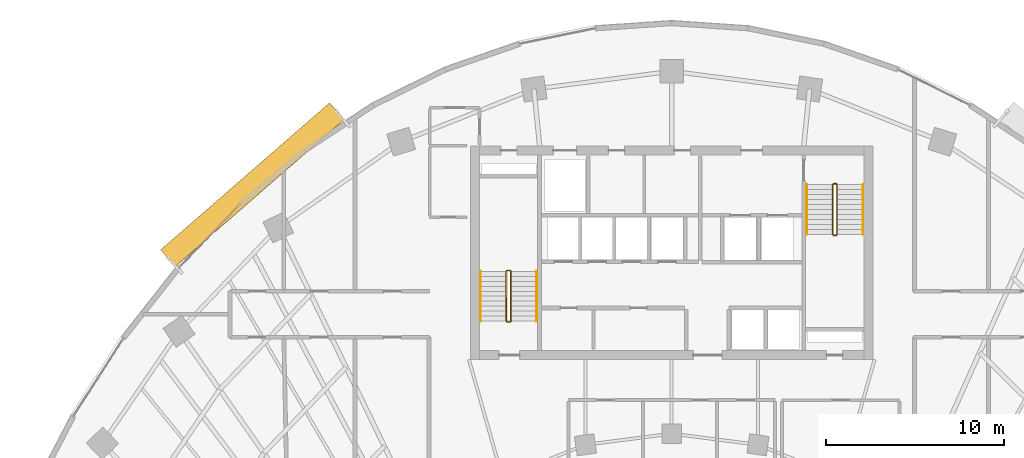
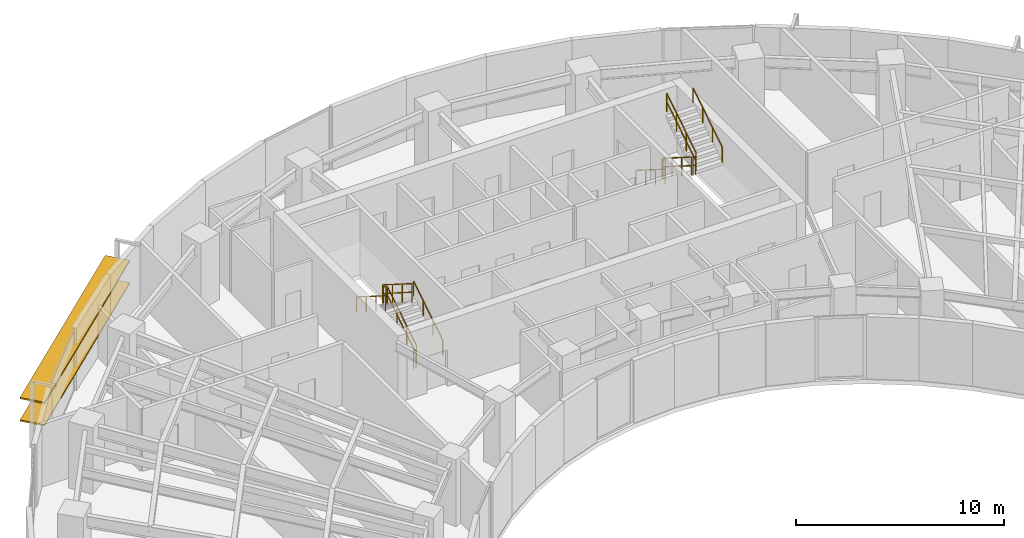
# One storey, part 13 of 14: 12 railings, 2 shading devices.
"""IFC4 building model written with IfcOpenShell, lengths in metres."""

from ifc_helpers import new_model, si_unit, direction, frame, origin, origin_2d, place, context, subcontext, project, spatial, rectangle, extrude, source, transform, mapped, material, material_profile, profile_set, type_object, element, save


model = new_model("IFC4")

# Units and contexts
model_context = context("Model", 3, precision=1e-05, world=origin(), true_north=direction((0.0, 1.0)))
body_context = subcontext(model_context, "Body", "Model", "MODEL_VIEW")
ifc_project = project(units=[si_unit("LENGTHUNIT", "METRE"), si_unit("AREAUNIT", "SQUARE_METRE"), si_unit("VOLUMEUNIT", "CUBIC_METRE"), si_unit("PLANEANGLEUNIT", "RADIAN"), si_unit("MASSUNIT", "GRAM", prefix="KILO")], contexts=[model_context])

# Site, building, storey
site_placement = place(None, origin())
site = spatial("IfcSite", under=ifc_project, at=site_placement, CompositionType="ELEMENT")
building_placement = place(site_placement, origin())
building = spatial("IfcBuilding", under=site, at=building_placement, Name="Breltana Convention Tower", CompositionType="ELEMENT")
storey_placement = place(building_placement, frame((0.0, 0.0, 138.89990234375)))
storey = spatial("IfcBuildingStorey", under=building, at=storey_placement, Name="L33", CompositionType="ELEMENT", Elevation=138.89990234375)

# Railings
ifc_material_1 = material(Name="Steel S275 Painted", Category="steel")
railing_type_1 = type_object("IfcRailingType", Name="RL-STAIR-GUARD-1100", PredefinedType="GUARDRAIL", material=ifc_material_1)
railing_1_placement = place(storey_placement, frame((38.9599609375, 62.360107421875, 0.177490234375)))
element("IfcRailing", 1, at=railing_1_placement, inside=storey, type_object=railing_type_1, Name="L33 ST-1 stair guard 1", PredefinedType="GUARDRAIL", context=body_context, shape_type="SweptSolid", body=[
    extrude(rectangle(XDim=0.048095703125, YDim=0.048095703125, at=origin_2d()), frame((0.0, 0.0, 1.076171875), z_axis=(0.0, 0.844887892834, 0.53494340686), x_axis=(-1.0, 0.0, 0.0)), (0.0, 0.0, 1.0), 3.313720703125),
    extrude(rectangle(XDim=0.048095703125, YDim=0.048095703125, at=origin_2d()), frame((0.0, 0.0, 0.572021484375), z_axis=(0.0, 0.844887892834, 0.53494340686), x_axis=(-1.0, 0.0, 0.0)), (0.0, 0.0, 1.0), 3.313720703125),
    extrude(rectangle(XDim=0.0419921875, YDim=0.0419921875, at=origin_2d()), origin(), (0.0, 0.0, 1.0), 1.052001953125),
    extrude(rectangle(XDim=0.0419921875, YDim=0.0419921875, at=origin_2d()), frame((0.0, 0.933349609375, 0.5908203125)), (0.0, 0.0, 1.0), 1.052001953125),
    extrude(rectangle(XDim=0.0419921875, YDim=0.0419921875, at=origin_2d()), frame((0.0, 1.866455078125, 1.181884765625)), (0.0, 0.0, 1.0), 1.052001953125),
    extrude(rectangle(XDim=0.0419921875, YDim=0.0419921875, at=origin_2d()), frame((0.0, 2.7998046875, 1.772705078125)), (0.0, 0.0, 1.0), 1.052001953125),
])
railing_2_placement = place(storey_placement, frame((38.909912109375, 65.2099609375, 1.9501953125)))
element("IfcRailing", 2, at=railing_2_placement, inside=storey, type_object=railing_type_1, Name="L33 ST-1 stair guard 2", PredefinedType="GUARDRAIL", context=body_context, shape_type="SweptSolid", body=[
    extrude(rectangle(XDim=0.048095703125, YDim=0.048095703125, at=origin_2d()), frame((0.0, 0.0, 1.076171875), z_axis=(-1.0, 0.0, 0.0), x_axis=(0.0, -1.0, 0.0)), (0.0, 0.0, 1.0), 0.14990234375),
    extrude(rectangle(XDim=0.048095703125, YDim=0.048095703125, at=origin_2d()), frame((0.0, 0.0, 0.572021484375), z_axis=(-1.0, 0.0, 0.0), x_axis=(0.0, -1.0, 0.0)), (0.0, 0.0, 1.0), 0.14990234375),
    extrude(rectangle(XDim=0.0419921875, YDim=0.0419921875, at=origin_2d()), origin(), (0.0, 0.0, 1.0), 1.052001953125),
    extrude(rectangle(XDim=0.0419921875, YDim=0.0419921875, at=origin_2d()), frame((-0.14990234375, 0.0, 0.0)), (0.0, 0.0, 1.0), 1.052001953125),
])
railing_3_placement = place(storey_placement, frame((38.7099609375, 65.159912109375, 2.12744140625)))
element("IfcRailing", 3, at=railing_3_placement, inside=storey, type_object=railing_type_1, Name="L33 ST-1 stair guard 3", PredefinedType="GUARDRAIL", context=body_context, shape_type="SweptSolid", body=[
    extrude(rectangle(XDim=0.048095703125, YDim=0.048095703125, at=origin_2d()), frame((0.0, 0.0, 1.076171875), z_axis=(0.0, -0.844887892834, 0.53494340686), x_axis=(1.0, 0.0, 0.0)), (0.0, 0.0, 1.0), 3.313720703125),
    extrude(rectangle(XDim=0.048095703125, YDim=0.048095703125, at=origin_2d()), frame((0.0, 0.0, 0.572021484375), z_axis=(0.0, -0.844887892834, 0.53494340686), x_axis=(1.0, 0.0, 0.0)), (0.0, 0.0, 1.0), 3.313720703125),
    extrude(rectangle(XDim=0.0419921875, YDim=0.0419921875, at=origin_2d()), origin(), (0.0, 0.0, 1.0), 1.052001953125),
    extrude(rectangle(XDim=0.0419921875, YDim=0.0419921875, at=origin_2d()), frame((0.0, -0.933349609375, 0.5908203125)), (0.0, 0.0, 1.0), 1.052001953125),
    extrude(rectangle(XDim=0.0419921875, YDim=0.0419921875, at=origin_2d()), frame((0.0, -1.866455078125, 1.181884765625)), (0.0, 0.0, 1.0), 1.052001953125),
    extrude(rectangle(XDim=0.0419921875, YDim=0.0419921875, at=origin_2d()), frame((0.0, -2.7998046875, 1.772705078125)), (0.0, 0.0, 1.0), 1.052001953125),
])
railing_4_placement = place(storey_placement, frame((38.909912109375, 62.31005859375, 0.0)))
element("IfcRailing", 4, at=railing_4_placement, inside=storey, type_object=railing_type_1, Name="L33 ST-1 stair guard 4", PredefinedType="GUARDRAIL", context=body_context, shape_type="SweptSolid", body=[
    extrude(rectangle(XDim=0.048095703125, YDim=0.048095703125, at=origin_2d()), frame((0.0, 0.0, 1.076171875), z_axis=(-1.0, 0.0, 0.0), x_axis=(0.0, -1.0, 0.0)), (0.0, 0.0, 1.0), 0.14990234375),
    extrude(rectangle(XDim=0.048095703125, YDim=0.048095703125, at=origin_2d()), frame((0.0, 0.0, 0.572021484375), z_axis=(-1.0, 0.0, 0.0), x_axis=(0.0, -1.0, 0.0)), (0.0, 0.0, 1.0), 0.14990234375),
    extrude(rectangle(XDim=0.0419921875, YDim=0.0419921875, at=origin_2d()), origin(), (0.0, 0.0, 1.0), 1.052001953125),
    extrude(rectangle(XDim=0.0419921875, YDim=0.0419921875, at=origin_2d()), frame((-0.14990234375, 0.0, 0.0)), (0.0, 0.0, 1.0), 1.052001953125),
])
railing_5_placement = place(storey_placement, frame((57.0400390625, 70.0400390625, 0.177490234375)))
element("IfcRailing", 5, at=railing_5_placement, inside=storey, type_object=railing_type_1, Name="L33 ST-2 stair guard 1", PredefinedType="GUARDRAIL", context=body_context, shape_type="SweptSolid", body=[
    extrude(rectangle(XDim=0.048095703125, YDim=0.048095703125, at=origin_2d()), frame((0.0, 0.0, 1.076171875), z_axis=(0.0, -0.844908973607, 0.534910110503), x_axis=(1.0, 0.0, 0.0)), (0.0, 0.0, 1.0), 3.31396484375),
    extrude(rectangle(XDim=0.048095703125, YDim=0.048095703125, at=origin_2d()), frame((0.0, 0.0, 0.572021484375), z_axis=(0.0, -0.844908973607, 0.534910110503), x_axis=(1.0, 0.0, 0.0)), (0.0, 0.0, 1.0), 3.31396484375),
    extrude(rectangle(XDim=0.0419921875, YDim=0.0419921875, at=origin_2d()), origin(), (0.0, 0.0, 1.0), 1.052001953125),
    extrude(rectangle(XDim=0.0419921875, YDim=0.0419921875, at=origin_2d()), frame((0.0, -0.933349609375, 0.5908203125)), (0.0, 0.0, 1.0), 1.052001953125),
    extrude(rectangle(XDim=0.0419921875, YDim=0.0419921875, at=origin_2d()), frame((0.0, -1.86669921875, 1.181884765625)), (0.0, 0.0, 1.0), 1.052001953125),
    extrude(rectangle(XDim=0.0419921875, YDim=0.0419921875, at=origin_2d()), frame((0.0, -2.800048828125, 1.772705078125)), (0.0, 0.0, 1.0), 1.052001953125),
])
railing_6_placement = place(storey_placement, frame((57.090087890625, 67.18994140625, 1.9501953125)))
element("IfcRailing", 6, at=railing_6_placement, inside=storey, type_object=railing_type_1, Name="L33 ST-2 stair guard 2", PredefinedType="GUARDRAIL", context=body_context, shape_type="SweptSolid", body=[
    extrude(rectangle(XDim=0.048095703125, YDim=0.048095703125, at=origin_2d()), frame((0.0, 0.0, 1.076171875), z_axis=(1.0, 0.0, 0.0), x_axis=(0.0, 1.0, 0.0)), (0.0, 0.0, 1.0), 0.14990234375),
    extrude(rectangle(XDim=0.048095703125, YDim=0.048095703125, at=origin_2d()), frame((0.0, 0.0, 0.572021484375), z_axis=(1.0, 0.0, 0.0), x_axis=(0.0, 1.0, 0.0)), (0.0, 0.0, 1.0), 0.14990234375),
    extrude(rectangle(XDim=0.0419921875, YDim=0.0419921875, at=origin_2d()), origin(), (0.0, 0.0, 1.0), 1.052001953125),
    extrude(rectangle(XDim=0.0419921875, YDim=0.0419921875, at=origin_2d()), frame((0.14990234375, 0.0, 0.0)), (0.0, 0.0, 1.0), 1.052001953125),
])
railing_7_placement = place(storey_placement, frame((57.2900390625, 67.239990234375, 2.12744140625)))
element("IfcRailing", 7, at=railing_7_placement, inside=storey, type_object=railing_type_1, Name="L33 ST-2 stair guard 3", PredefinedType="GUARDRAIL", context=body_context, shape_type="SweptSolid", body=[
    extrude(rectangle(XDim=0.048095703125, YDim=0.048095703125, at=origin_2d()), frame((0.0, 0.0, 1.076171875), z_axis=(0.0, 0.844908973607, 0.534910110503), x_axis=(-1.0, 0.0, 0.0)), (0.0, 0.0, 1.0), 3.31396484375),
    extrude(rectangle(XDim=0.048095703125, YDim=0.048095703125, at=origin_2d()), frame((0.0, 0.0, 0.572021484375), z_axis=(0.0, 0.844908973607, 0.534910110503), x_axis=(-1.0, 0.0, 0.0)), (0.0, 0.0, 1.0), 3.31396484375),
    extrude(rectangle(XDim=0.0419921875, YDim=0.0419921875, at=origin_2d()), origin(), (0.0, 0.0, 1.0), 1.052001953125),
    extrude(rectangle(XDim=0.0419921875, YDim=0.0419921875, at=origin_2d()), frame((0.0, 0.933349609375, 0.5908203125)), (0.0, 0.0, 1.0), 1.052001953125),
    extrude(rectangle(XDim=0.0419921875, YDim=0.0419921875, at=origin_2d()), frame((0.0, 1.86669921875, 1.181884765625)), (0.0, 0.0, 1.0), 1.052001953125),
    extrude(rectangle(XDim=0.0419921875, YDim=0.0419921875, at=origin_2d()), frame((0.0, 2.800048828125, 1.772705078125)), (0.0, 0.0, 1.0), 1.052001953125),
])
railing_8_placement = place(storey_placement, frame((57.090087890625, 70.090087890625, 0.0)))
element("IfcRailing", 8, at=railing_8_placement, inside=storey, type_object=railing_type_1, Name="L33 ST-2 stair guard 4", PredefinedType="GUARDRAIL", context=body_context, shape_type="SweptSolid", body=[
    extrude(rectangle(XDim=0.048095703125, YDim=0.048095703125, at=origin_2d()), frame((0.0, 0.0, 1.076171875), z_axis=(1.0, 0.0, 0.0), x_axis=(0.0, 1.0, 0.0)), (0.0, 0.0, 1.0), 0.14990234375),
    extrude(rectangle(XDim=0.048095703125, YDim=0.048095703125, at=origin_2d()), frame((0.0, 0.0, 0.572021484375), z_axis=(1.0, 0.0, 0.0), x_axis=(0.0, 1.0, 0.0)), (0.0, 0.0, 1.0), 0.14990234375),
    extrude(rectangle(XDim=0.0419921875, YDim=0.0419921875, at=origin_2d()), origin(), (0.0, 0.0, 1.0), 1.052001953125),
    extrude(rectangle(XDim=0.0419921875, YDim=0.0419921875, at=origin_2d()), frame((0.14990234375, 0.0, 0.0)), (0.0, 0.0, 1.0), 1.052001953125),
])
ifc_material_2 = material(Name="Stainless Steel 316L", Category="steel")
railing_type_2 = type_object("IfcRailingType", Name="RL-STAIR-HANDRAIL-900", PredefinedType="HANDRAIL", material=ifc_material_2)
railing_9_placement = place(storey_placement, frame((40.419921875, 62.360107421875, 0.177490234375)))
element("IfcRailing", 9, at=railing_9_placement, inside=storey, type_object=railing_type_2, Name="L33 ST-1 stair handrail 1", PredefinedType="HANDRAIL", context=body_context, shape_type="SweptSolid", body=[
    extrude(rectangle(XDim=0.048095703125, YDim=0.048095703125, at=origin_2d()), frame((0.0, 0.0, 0.8759765625), z_axis=(0.0, 0.844887892834, 0.53494340686), x_axis=(-1.0, 0.0, 0.0)), (0.0, 0.0, 1.0), 3.313720703125),
    extrude(rectangle(XDim=0.0419921875, YDim=0.0419921875, at=origin_2d()), origin(), (0.0, 0.0, 1.0), 0.851806640625),
    extrude(rectangle(XDim=0.0419921875, YDim=0.0419921875, at=origin_2d()), frame((0.0, 0.933349609375, 0.5908203125)), (0.0, 0.0, 1.0), 0.851806640625),
    extrude(rectangle(XDim=0.0419921875, YDim=0.0419921875, at=origin_2d()), frame((0.0, 1.866455078125, 1.181884765625)), (0.0, 0.0, 1.0), 0.851806640625),
    extrude(rectangle(XDim=0.0419921875, YDim=0.0419921875, at=origin_2d()), frame((0.0, 2.7998046875, 1.772705078125)), (0.0, 0.0, 1.0), 0.851806640625),
])
railing_10_placement = place(storey_placement, frame((37.25, 65.159912109375, 2.12744140625)))
element("IfcRailing", 10, at=railing_10_placement, inside=storey, type_object=railing_type_2, Name="L33 ST-1 stair handrail 2", PredefinedType="HANDRAIL", context=body_context, shape_type="SweptSolid", body=[
    extrude(rectangle(XDim=0.048095703125, YDim=0.048095703125, at=origin_2d()), frame((0.0, 0.0, 0.8759765625), z_axis=(0.0, -0.844887892834, 0.53494340686), x_axis=(1.0, 0.0, 0.0)), (0.0, 0.0, 1.0), 3.313720703125),
    extrude(rectangle(XDim=0.0419921875, YDim=0.0419921875, at=origin_2d()), origin(), (0.0, 0.0, 1.0), 0.851806640625),
    extrude(rectangle(XDim=0.0419921875, YDim=0.0419921875, at=origin_2d()), frame((0.0, -0.933349609375, 0.5908203125)), (0.0, 0.0, 1.0), 0.851806640625),
    extrude(rectangle(XDim=0.0419921875, YDim=0.0419921875, at=origin_2d()), frame((0.0, -1.866455078125, 1.181884765625)), (0.0, 0.0, 1.0), 0.851806640625),
    extrude(rectangle(XDim=0.0419921875, YDim=0.0419921875, at=origin_2d()), frame((0.0, -2.7998046875, 1.772705078125)), (0.0, 0.0, 1.0), 0.851806640625),
])
railing_11_placement = place(storey_placement, frame((55.580078125, 70.0400390625, 0.177490234375)))
element("IfcRailing", 11, at=railing_11_placement, inside=storey, type_object=railing_type_2, Name="L33 ST-2 stair handrail 1", PredefinedType="HANDRAIL", context=body_context, shape_type="SweptSolid", body=[
    extrude(rectangle(XDim=0.048095703125, YDim=0.048095703125, at=origin_2d()), frame((0.0, 0.0, 0.8759765625), z_axis=(0.0, -0.844908973607, 0.534910110503), x_axis=(1.0, 0.0, 0.0)), (0.0, 0.0, 1.0), 3.31396484375),
    extrude(rectangle(XDim=0.0419921875, YDim=0.0419921875, at=origin_2d()), origin(), (0.0, 0.0, 1.0), 0.851806640625),
    extrude(rectangle(XDim=0.0419921875, YDim=0.0419921875, at=origin_2d()), frame((0.0, -0.933349609375, 0.5908203125)), (0.0, 0.0, 1.0), 0.851806640625),
    extrude(rectangle(XDim=0.0419921875, YDim=0.0419921875, at=origin_2d()), frame((0.0, -1.86669921875, 1.181884765625)), (0.0, 0.0, 1.0), 0.851806640625),
    extrude(rectangle(XDim=0.0419921875, YDim=0.0419921875, at=origin_2d()), frame((0.0, -2.800048828125, 1.772705078125)), (0.0, 0.0, 1.0), 0.851806640625),
])
railing_12_placement = place(storey_placement, frame((58.75, 67.239990234375, 2.12744140625)))
element("IfcRailing", 12, at=railing_12_placement, inside=storey, type_object=railing_type_2, Name="L33 ST-2 stair handrail 2", PredefinedType="HANDRAIL", context=body_context, shape_type="SweptSolid", body=[
    extrude(rectangle(XDim=0.048095703125, YDim=0.048095703125, at=origin_2d()), frame((0.0, 0.0, 0.8759765625), z_axis=(0.0, 0.844908973607, 0.534910110503), x_axis=(-1.0, 0.0, 0.0)), (0.0, 0.0, 1.0), 3.31396484375),
    extrude(rectangle(XDim=0.0419921875, YDim=0.0419921875, at=origin_2d()), origin(), (0.0, 0.0, 1.0), 0.851806640625),
    extrude(rectangle(XDim=0.0419921875, YDim=0.0419921875, at=origin_2d()), frame((0.0, 0.933349609375, 0.5908203125)), (0.0, 0.0, 1.0), 0.851806640625),
    extrude(rectangle(XDim=0.0419921875, YDim=0.0419921875, at=origin_2d()), frame((0.0, 1.86669921875, 1.181884765625)), (0.0, 0.0, 1.0), 0.851806640625),
    extrude(rectangle(XDim=0.0419921875, YDim=0.0419921875, at=origin_2d()), frame((0.0, 2.800048828125, 1.772705078125)), (0.0, 0.0, 1.0), 0.851806640625),
])

# Shading devices
ifc_material_3 = material(Name="Limestone Warm Buff Honed", Category="masonry")
ifc_material_profile = material_profile(ifc_material_3, rectangle(XDim=1.25, YDim=0.090087890625, at=origin_2d()), Name="STN-LVR-1250X90")
ifc_profile_set = profile_set([ifc_material_profile], Name="Limestone Warm Buff Honed")
shading_device_type = type_object("IfcShadingDeviceType", Name="SHD-OUTER-SKIN-LIMESTONE-1250", PredefinedType="JALOUSIE", material=ifc_profile_set)
shared_shape = source(origin(), body_context, "Body", "SweptSolid", [
    extrude(rectangle(XDim=1.25, YDim=0.090087890625, at=origin_2d()), origin(), (0.0, 0.0, 1.0), 12.59423828125),
])
for number, where, z_axis, x_axis, name in (
    (13, (19.6826171875, 65.894775390625, 1.314208984375), (0.754366759368, 0.656453191295, 0.0), (-0.656453191295, 0.754366759368, 0.0), "L33 outer skin warm limestone louvre 1.1"),
    (14, (19.6826171875, 65.894775390625, 2.628173828125), (0.754366759368, 0.656453191295, 0.0), (-0.656453191295, 0.754366759368, 0.0), "L33 outer skin warm limestone louvre 1.2"),
):
    element("IfcShadingDevice", number, at=place(storey_placement, frame(where, z_axis=z_axis, x_axis=x_axis)), inside=storey, type_object=shading_device_type, Name=name, PredefinedType="JALOUSIE", context=body_context, shape_type="MappedRepresentation", body=[
        mapped(shared_shape, transform((0.0, 0.0, 0.0), scale=1.0)),
    ])

save(model, "model.ifc")
